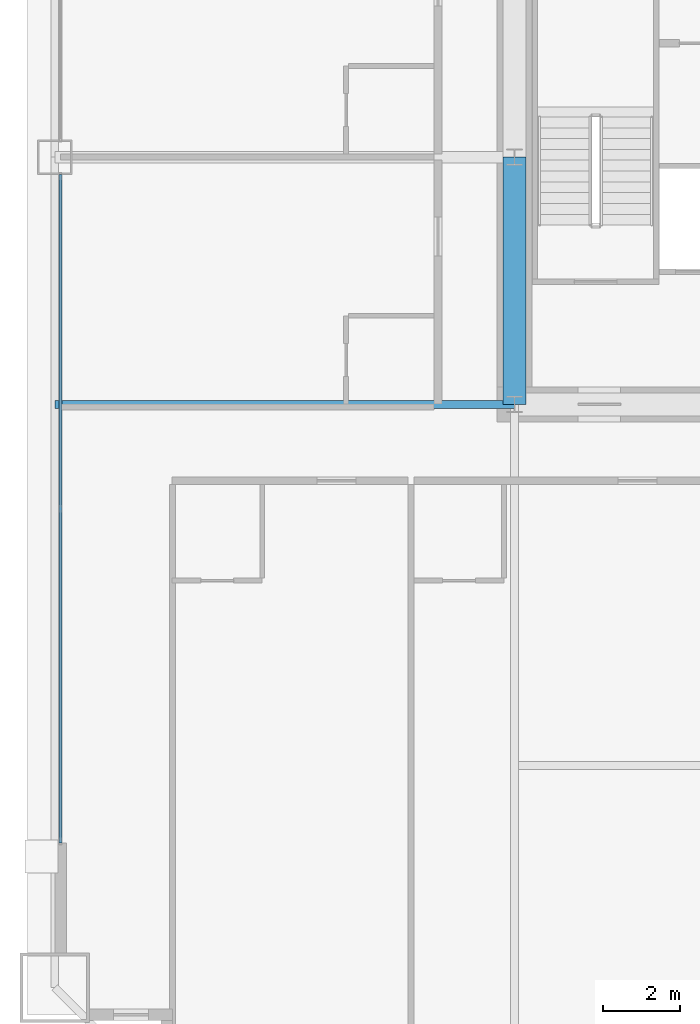
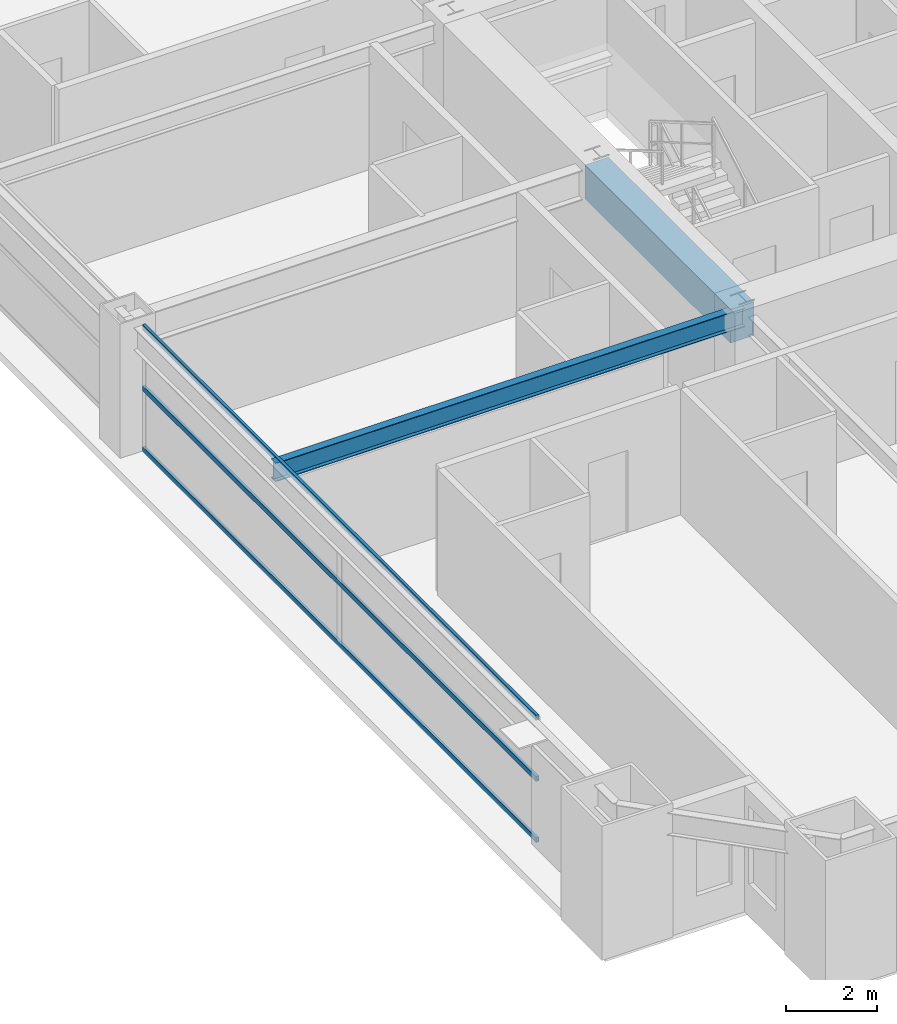
# One storey, part 12 of 43: 3 members, 2 beams, 1 element without a shape of its own.
"""IFC4 building model written with IfcOpenShell, lengths in metres."""

from ifc_helpers import new_model, si_unit, direction, frame, origin, origin_2d, place, context, subcontext, project, spatial, rectangle, hollow_rectangle, i_section, extrude, source, transform, mapped, material, layer, layer_set, material_profile, profile_set, type_object, element, aggregate, save


model = new_model("IFC4")

# Units and contexts
model_context = context("Model", 3, precision=1e-05, world=origin(), true_north=direction((0.0, 1.0)))
body_context = subcontext(model_context, "Body", "Model", "MODEL_VIEW")
ifc_project = project(units=[si_unit("LENGTHUNIT", "METRE"), si_unit("AREAUNIT", "SQUARE_METRE"), si_unit("VOLUMEUNIT", "CUBIC_METRE"), si_unit("PLANEANGLEUNIT", "RADIAN"), si_unit("MASSUNIT", "GRAM", prefix="KILO"), si_unit("THERMODYNAMICTEMPERATUREUNIT", "KELVIN"), si_unit("POWERUNIT", "WATT")], contexts=[model_context])

# Site, building, storey
site_placement = place(None, origin())
site = spatial("IfcSite", under=ifc_project, at=site_placement, CompositionType="ELEMENT")
building_placement = place(site_placement, origin())
building = spatial("IfcBuilding", under=site, at=building_placement, Name="Yuzanri Waterfront Tower", CompositionType="ELEMENT")
storey_placement = place(building_placement, frame((0.0, 0.0, 64.0)))
storey = spatial("IfcBuildingStorey", under=building, at=storey_placement, Name="L16", CompositionType="ELEMENT", Elevation=64.0)

# Beams
ifc_material_1 = material(Name="Concrete C60", Category="concrete")
ifc_material_profile_1 = material_profile(ifc_material_1, rectangle(XDim=0.60009765625, YDim=0.89990234375, at=origin_2d()), Name="RC 600x900")
ifc_profile_set_1 = profile_set([ifc_material_profile_1], Name="Concrete C60")
beam_type_1 = type_object("IfcBeamType", Name="Core Coupling Lintel Concrete C60 600x900", PredefinedType="LINTEL", material=ifc_profile_set_1)
shared_shape_1 = source(origin(), body_context, "Body", "SweptSolid", [
    extrude(rectangle(XDim=0.60009765625, YDim=0.89990234375, at=origin_2d()), origin(), (0.0, 0.0, 1.0), 6.400146484375),
])
beam_1_placement = place(storey_placement, frame((23.800048828125, 19.39990234375, 2.929931640625), z_axis=(0.0, 1.0, 0.0), x_axis=(-1.0, 0.0, 0.0)))
element("IfcBeam", 1, at=beam_1_placement, inside=storey, type_object=beam_type_1, Name="L16 Core Tie Beam CW1", PredefinedType="LINTEL", context=body_context, shape_type="MappedRepresentation", body=[
    mapped(shared_shape_1, transform((0.0, 0.0, 0.0), scale=1.0)),
])
ifc_material_2 = material(Name="Steel Q355B", Category="steel")
ifc_material_profile_2 = material_profile(ifc_material_2, i_section(OverallWidth=0.199951171875, OverallDepth=0.5, WebThickness=0.010009765625, FlangeThickness=0.01611328125, at=origin_2d()), Name="HN 500x200x10x16")
ifc_profile_set_2 = profile_set([ifc_material_profile_2], Name="Steel Q355B")
beam_type_2 = type_object("IfcBeamType", Name="Secondary Floor Beam Q355B HN 500x200", PredefinedType="BEAM", material=ifc_profile_set_2)
shared_shape_2 = source(origin(), body_context, "Body", "SweptSolid", [
    extrude(i_section(OverallWidth=0.199951171875, OverallDepth=0.5, WebThickness=0.010009765625, FlangeThickness=0.01611328125, at=origin_2d()), origin(), (0.0, 0.0, 1.0), 11.900146484375),
])
beam_2_placement = place(storey_placement, frame((23.800048828125, 19.39990234375, 3.1298828125), z_axis=(-1.0, 0.0, 0.0), x_axis=(0.0, -1.0, 0.0)))
element("IfcBeam", 2, at=beam_2_placement, inside=storey, type_object=beam_type_2, Name="L16 West-South Core Line Beam", PredefinedType="BEAM", context=body_context, shape_type="MappedRepresentation", body=[
    mapped(shared_shape_2, transform((0.0, 0.0, 0.0), scale=1.0)),
])

# Curtain wall, members
ifc_material_3 = material(Name="Anodized Architectural Bronze", Category="metal")
ifc_layer = layer(ifc_material_3, 0.159912109375)
ifc_layer_set = layer_set([ifc_layer], Name="Anodized Architectural Bronze")
curtain_wall_type = type_object("IfcCurtainWallType", Name="Anodized Bronze Hotel Lower-Tier Recessed Unitized Curtain Wall 8100", PredefinedType="NOTDEFINED", material=ifc_layer_set)
curtain_wall_placement = place(storey_placement, origin())
curtain_wall = element("IfcCurtainWall", 3, at=curtain_wall_placement, inside=storey, type_object=curtain_wall_type, Name="L16 Curtain Wall CW-L16-WL", PredefinedType="NOTDEFINED")
ifc_material_4 = material(Name="Anodized Architectural Bronze", Category="metal")
ifc_material_profile_3 = material_profile(ifc_material_4, hollow_rectangle(XDim=0.070068359375, YDim=0.135009765625, WallThickness=0.00341796875, at=origin_2d()), Name="CWT 70x135")
ifc_profile_set_3 = profile_set([ifc_material_profile_3], Name="Anodized Architectural Bronze")
member_type = type_object("IfcMemberType", Name="Anodized Bronze Standard Curtain-Wall Transom 70x135", PredefinedType="USERDEFINED", material=ifc_profile_set_3)
shared_shape_3 = source(origin(), body_context, "Body", "SweptSolid", [
    extrude(hollow_rectangle(XDim=0.070068359375, YDim=0.135009765625, WallThickness=0.00341796875, at=origin_2d()), origin(), (0.0, 0.0, 1.0), 17.300048828125),
])
member_1_placement = place(storey_placement, frame((12.050048828125, 8.050048828125, 0.050048828125), z_axis=(0.0, 1.0, 0.0), x_axis=(-1.0, 0.0, 0.0)))
member_1 = element("IfcMember", 4, at=member_1_placement, type_object=member_type, Name="CW-L16-WL Transom 1", ObjectType="TRANSOM", PredefinedType="USERDEFINED", context=body_context, shape_type="MappedRepresentation", body=[
    mapped(shared_shape_3, transform((0.0, 0.0, 0.0), scale=1.0)),
])
member_2_placement = place(storey_placement, frame((12.050048828125, 8.050048828125, 1.68994140625), z_axis=(0.0, 1.0, 0.0), x_axis=(-1.0, 0.0, 0.0)))
member_2 = element("IfcMember", 5, at=member_2_placement, type_object=member_type, Name="CW-L16-WL Transom 2", ObjectType="TRANSOM", PredefinedType="USERDEFINED", context=body_context, shape_type="MappedRepresentation", body=[
    mapped(shared_shape_3, transform((0.0, 0.0, 0.0), scale=1.0)),
])
member_3_placement = place(storey_placement, frame((12.050048828125, 8.050048828125, 3.330078125), z_axis=(0.0, 1.0, 0.0), x_axis=(-1.0, 0.0, 0.0)))
member_3 = element("IfcMember", 6, at=member_3_placement, type_object=member_type, Name="CW-L16-WL Transom 3", ObjectType="TRANSOM", PredefinedType="USERDEFINED", context=body_context, shape_type="MappedRepresentation", body=[
    mapped(shared_shape_3, transform((0.0, 0.0, 0.0), scale=1.0)),
])
aggregate(curtain_wall, [member_1, member_2, member_3])

save(model, "model.ifc")
